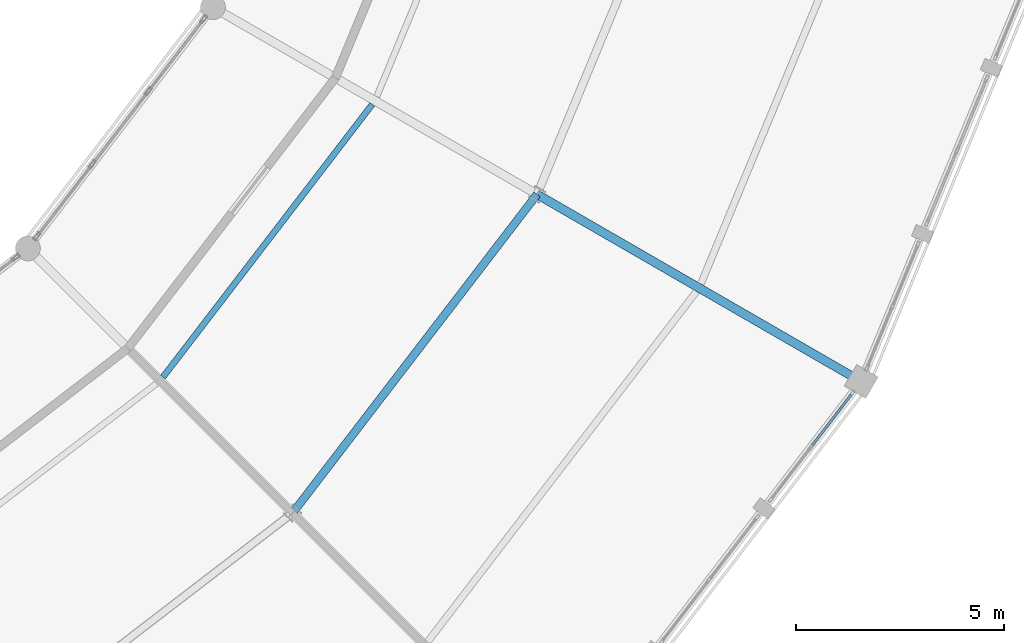
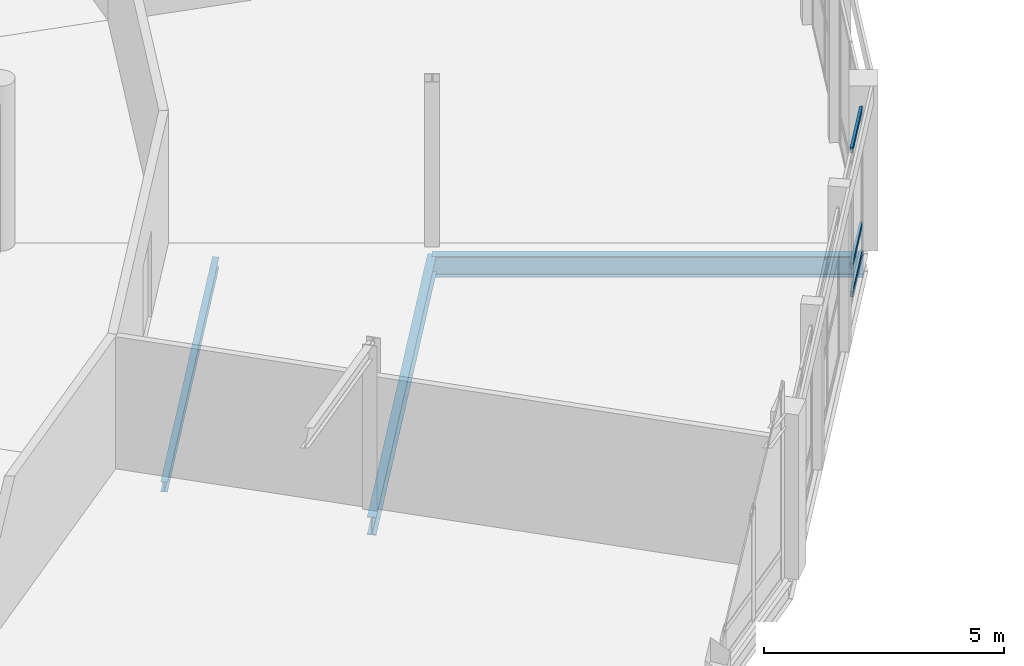
# One storey, part 96 of 170: 3 beams, 3 members, 1 element without a shape of its own.
"""IFC4 building model written with IfcOpenShell, lengths in metres."""

from ifc_helpers import new_model, si_unit, direction, frame, origin, origin_2d, place, context, subcontext, project, spatial, hollow_rectangle, i_section, extrude, material, material_profile, profile_set, type_object, element, aggregate, save


model = new_model("IFC4")

# Units and contexts
model_context = context("Model", 3, precision=1e-05, world=origin(), true_north=direction((0.0, 1.0)))
body_context = subcontext(model_context, "Body", "Model", "MODEL_VIEW")
ifc_project = project(units=[si_unit("LENGTHUNIT", "METRE"), si_unit("AREAUNIT", "SQUARE_METRE"), si_unit("VOLUMEUNIT", "CUBIC_METRE"), si_unit("PLANEANGLEUNIT", "RADIAN"), si_unit("MASSUNIT", "GRAM", prefix="KILO")], contexts=[model_context])

# Site, building, storey
site_placement = place(None, origin())
site = spatial("IfcSite", under=ifc_project, at=site_placement, CompositionType="ELEMENT")
building_placement = place(site_placement, origin())
building = spatial("IfcBuilding", under=site, at=building_placement, Name="Vondelvale Polytechnic", CompositionType="ELEMENT")
storey_placement = place(building_placement, frame((0.0, 0.0, 5.39990234375)))
storey = spatial("IfcBuildingStorey", under=building, at=storey_placement, Name="L01", CompositionType="ELEMENT", Elevation=5.39990234375)

# Beams
ifc_material_1 = material(Name="Steel 300PLUS (fy = 300 MPa)", Category="steel")
ifc_material_profile_1 = material_profile(ifc_material_1, i_section(OverallWidth=0.19091796875, OverallDepth=0.4599609375, WebThickness=0.010009765625, FlangeThickness=0.01611328125, FilletRadius=0.011474609375, at=origin_2d()), Name="460UB82.1")
ifc_profile_set_1 = profile_set([ifc_material_profile_1], Name="Steel 300PLUS (fy = 300 MPa)")
beam_type_1 = type_object("IfcBeamType", Name="BM-UB460H", PredefinedType="BEAM", material=ifc_profile_set_1)
beam_1_placement = place(storey_placement, frame((128.1630859375, 45.8369140625, -0.510009765625), z_axis=(0.60874775518, 0.793363832402, 0.0), x_axis=(-0.793363832402, 0.60874775518, 0.0)))
element("IfcBeam", 1, at=beam_1_placement, inside=storey, type_object=beam_type_1, Name="L01 RB B-12", PredefinedType="BEAM", context=body_context, shape_type="SweptSolid", body=[
    extrude(i_section(OverallWidth=0.19091796875, OverallDepth=0.4599609375, WebThickness=0.010009765625, FlangeThickness=0.01611328125, FilletRadius=0.011474609375, at=origin_2d()), origin(), (0.0, 0.0, 1.0), 9.658935546875),
])
ifc_material_profile_2 = material_profile(ifc_material_1, i_section(OverallWidth=0.208984375, OverallDepth=0.532958984375, WebThickness=0.01025390625, FlangeThickness=0.015625, FilletRadius=0.013916015625, at=origin_2d()), Name="530UB92.4")
ifc_profile_set_2 = profile_set([ifc_material_profile_2], Name="Steel 300PLUS (fy = 300 MPa)")
beam_type_2 = type_object("IfcBeamType", Name="BM-UB530", PredefinedType="BEAM", material=ifc_profile_set_2)
beam_2_placement = place(storey_placement, frame((134.04296875, 53.5, -0.54638671875), z_axis=(0.866024315419, -0.5000018851, 0.0), x_axis=(0.5000018851, 0.866024315419, 0.0)))
element("IfcBeam", 2, at=beam_2_placement, inside=storey, type_object=beam_type_2, Name="L01 RG B-11", PredefinedType="BEAM", context=body_context, shape_type="SweptSolid", body=[
    extrude(i_section(OverallWidth=0.208984375, OverallDepth=0.532958984375, WebThickness=0.01025390625, FlangeThickness=0.015625, FilletRadius=0.013916015625, at=origin_2d()), origin(), (0.0, 0.0, 1.0), 9.0),
])

# Curtain wall, members
ifc_material_2 = material(Name="Glulam GL18 structural Tasmanian oak (fb = 42 MPa)", Category="wood")
curtain_wall_type = type_object("IfcCurtainWallType", Name="CW-RING-OUTER", PredefinedType="NOTDEFINED", material=ifc_material_2)
curtain_wall_placement = place(storey_placement, origin())
curtain_wall = element("IfcCurtainWall", 3, at=curtain_wall_placement, inside=storey, type_object=curtain_wall_type, Name="L01 architectural curtain wall CW-04-354", PredefinedType="NOTDEFINED")
ifc_material_3 = material(Name="Anodised extruded aluminium 6063-T6", Category="aluminium")
ifc_material_profile_3 = material_profile(ifc_material_3, hollow_rectangle(XDim=0.06005859375, YDim=0.139892578125, WallThickness=0.00341796875, at=origin_2d()), Name="CW-TRN-140x60")
ifc_profile_set_3 = profile_set([ifc_material_profile_3], Name="Anodised extruded aluminium 6063-T6")
member_type = type_object("IfcMemberType", Name="CW-TRN-60x140", PredefinedType="USERDEFINED", material=ifc_profile_set_3)
member_1_placement = place(storey_placement, frame((140.66357421875, 47.470703125, 0.030029296875), z_axis=(0.608923875222, 0.7932286645, 0.0), x_axis=(-0.7932286645, 0.608923875222, 0.0)))
member_1 = element("IfcMember", 4, at=member_1_placement, type_object=member_type, Name="CW-04-354 transom 2.1", ObjectType="TRANSOM", PredefinedType="USERDEFINED", context=body_context, shape_type="SweptSolid", body=[
    extrude(hollow_rectangle(XDim=0.06005859375, YDim=0.139892578125, WallThickness=0.00341796875, at=origin_2d()), origin(), (0.0, 0.0, 1.0), 1.530029296875),
])
member_2_placement = place(storey_placement, frame((140.66357421875, 47.470703125, 0.75), z_axis=(0.608923875222, 0.7932286645, 0.0), x_axis=(-0.7932286645, 0.608923875222, 0.0)))
member_2 = element("IfcMember", 5, at=member_2_placement, type_object=member_type, Name="CW-04-354 transom 2.2", ObjectType="TRANSOM", PredefinedType="USERDEFINED", context=body_context, shape_type="SweptSolid", body=[
    extrude(hollow_rectangle(XDim=0.06005859375, YDim=0.139892578125, WallThickness=0.00341796875, at=origin_2d()), origin(), (0.0, 0.0, 1.0), 1.530029296875),
])
member_3_placement = place(storey_placement, frame((140.66357421875, 47.470703125, 3.690185546875), z_axis=(0.608923875222, 0.7932286645, 0.0), x_axis=(-0.7932286645, 0.608923875222, 0.0)))
member_3 = element("IfcMember", 6, at=member_3_placement, type_object=member_type, Name="CW-04-354 transom 2.3", ObjectType="TRANSOM", PredefinedType="USERDEFINED", context=body_context, shape_type="SweptSolid", body=[
    extrude(hollow_rectangle(XDim=0.06005859375, YDim=0.139892578125, WallThickness=0.00341796875, at=origin_2d()), origin(), (0.0, 0.0, 1.0), 1.530029296875),
])
aggregate(curtain_wall, [member_1, member_2, member_3])

# Beam
ifc_material_profile_4 = material_profile(ifc_material_1, i_section(OverallWidth=0.14599609375, OverallDepth=0.256103515625, WebThickness=0.00634765625, FlangeThickness=0.010986328125, FilletRadius=0.0087890625, at=origin_2d()), Name="250UB37.3")
ifc_profile_set_4 = profile_set([ifc_material_profile_4], Name="Steel 300PLUS (fy = 300 MPa)")
beam_type_3 = type_object("IfcBeamType", Name="JST-UB250", PredefinedType="JOIST", material=ifc_profile_set_4)
beam_3_placement = place(storey_placement, frame((125.048095703125, 49.106201171875, -0.407958984375), z_axis=(0.608750899721, 0.793361419587, 0.0), x_axis=(-0.793361419587, 0.608750899721, 0.0)))
element("IfcBeam", 7, at=beam_3_placement, inside=storey, type_object=beam_type_3, Name="L01 RJ J-06", PredefinedType="JOIST", context=body_context, shape_type="SweptSolid", body=[
    extrude(i_section(OverallWidth=0.14599609375, OverallDepth=0.256103515625, WebThickness=0.00634765625, FlangeThickness=0.010986328125, FilletRadius=0.0087890625, at=origin_2d()), origin(), (0.0, 0.0, 1.0), 8.26416015625),
])

save(model, "model.ifc")
